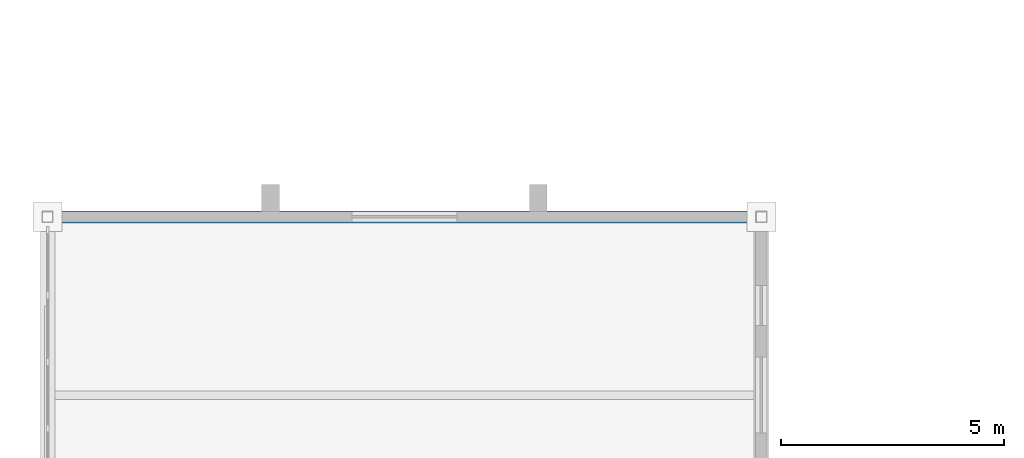
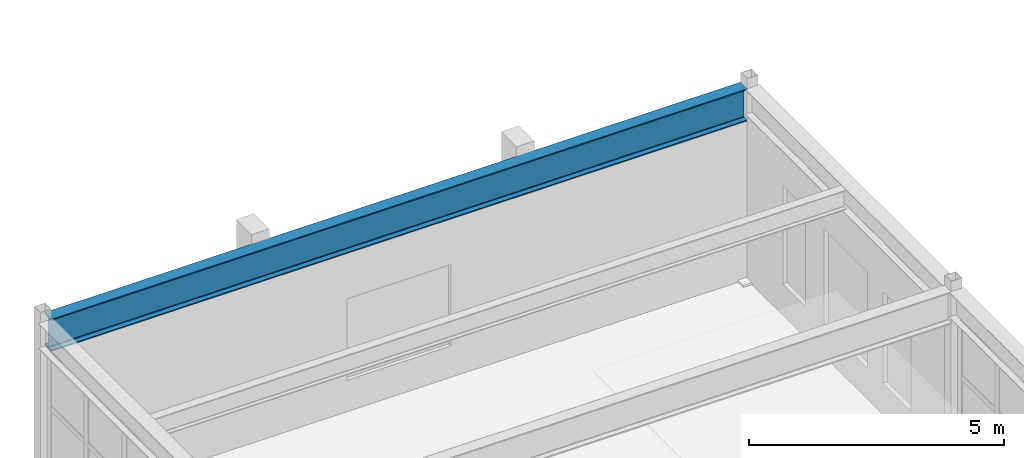
# One storey, part 21 of 61: 1 beam.
"""IFC4 building model written with IfcOpenShell, lengths in metres."""

from ifc_helpers import new_model, si_unit, direction, frame, origin, origin_2d, place, context, subcontext, project, spatial, i_section, extrude, material, material_profile, profile_set, type_object, element, save


model = new_model("IFC4")

# Units and contexts
model_context = context("Model", 3, precision=1e-05, world=origin(), true_north=direction((0.0, 1.0)))
body_context = subcontext(model_context, "Body", "Model", "MODEL_VIEW")
ifc_project = project(units=[si_unit("LENGTHUNIT", "METRE"), si_unit("AREAUNIT", "SQUARE_METRE"), si_unit("VOLUMEUNIT", "CUBIC_METRE"), si_unit("PLANEANGLEUNIT", "RADIAN"), si_unit("MASSUNIT", "GRAM", prefix="KILO")], contexts=[model_context])

# Site, building, storey
site_placement = place(None, origin())
site = spatial("IfcSite", under=ifc_project, at=site_placement, CompositionType="ELEMENT")
building_placement = place(site_placement, origin())
building = spatial("IfcBuilding", under=site, at=building_placement, Name="Serraluz Foothill Cableway Terminal", CompositionType="ELEMENT")
storey_placement = place(building_placement, frame((0.0, 0.0, 15.0)))
storey = spatial("IfcBuildingStorey", under=building, at=storey_placement, Name="L03", CompositionType="ELEMENT", Elevation=15.0)

# Beam
ifc_material = material(Name="Steel ASTM A992 Grade 50", Category="steel")
ifc_material_profile = material_profile(ifc_material, i_section(OverallWidth=0.26806640625, OverallDepth=0.77001953125, WebThickness=0.015625, FlangeThickness=0.025390625, FilletRadius=0.02197265625, at=origin_2d()), Name="W30X132")
ifc_profile_set = profile_set([ifc_material_profile], Name="Steel ASTM A992 Grade 50")
beam_type = type_object("IfcBeamType", Name="TYP-BM-W30X132", PredefinedType="BEAM", material=ifc_profile_set)
beam_placement = place(storey_placement, frame((0.12109375, 64.0, 4.179931640625), z_axis=(1.0, 0.0, 0.0), x_axis=(0.0, 1.0, 0.0)))
element("IfcBeam", 1, at=beam_placement, inside=storey, type_object=beam_type, Name="Primary Girder BM-X-L03-0362", PredefinedType="BEAM", context=body_context, shape_type="SweptSolid", body=[
    extrude(i_section(OverallWidth=0.26806640625, OverallDepth=0.77001953125, WebThickness=0.015625, FlangeThickness=0.025390625, FilletRadius=0.02197265625, at=origin_2d()), origin(), (0.0, 0.0, 1.0), 15.7578125),
])

save(model, "model.ifc")
